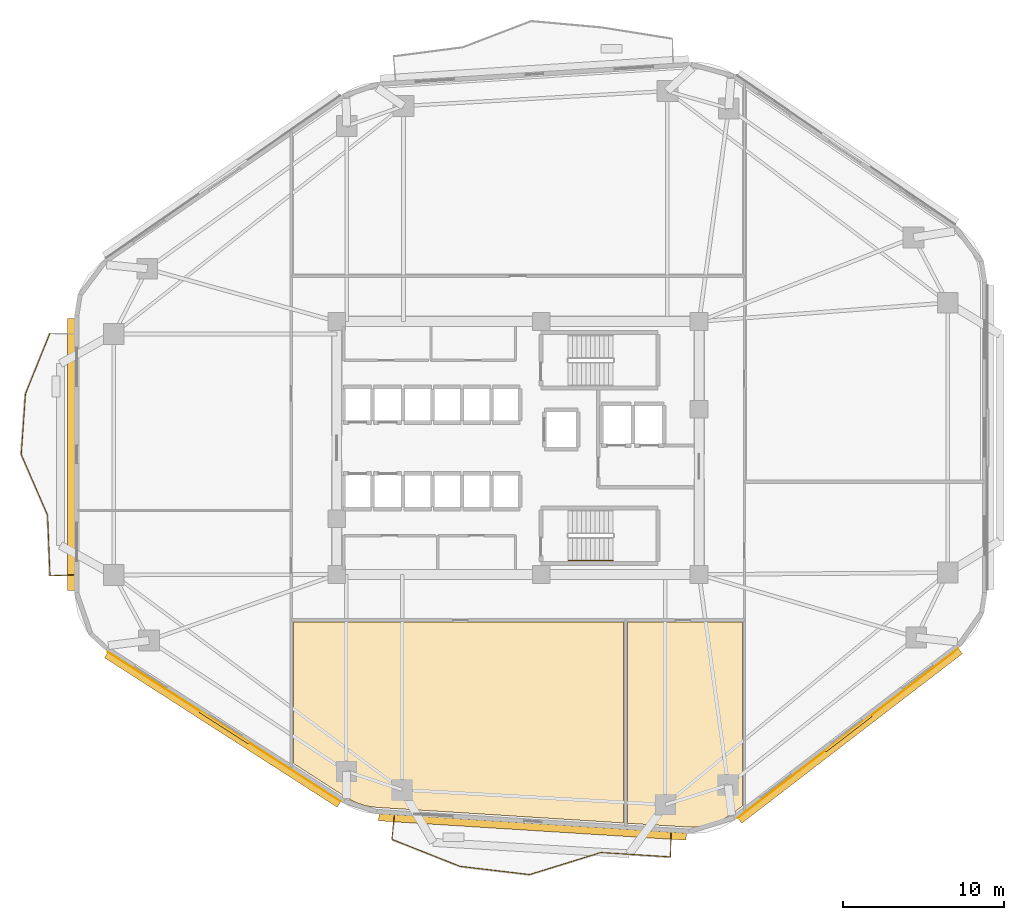
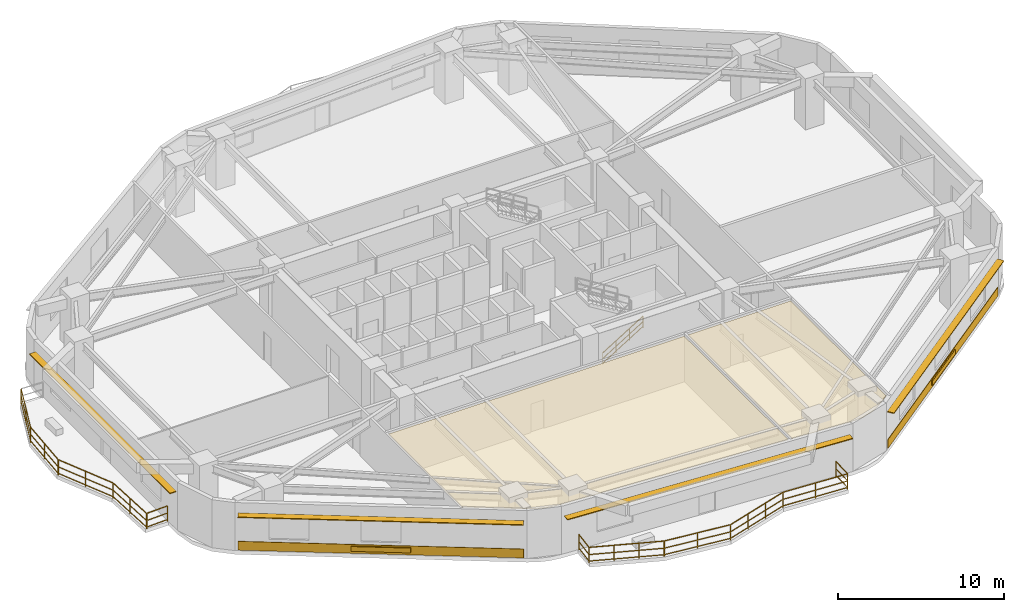
# One storey, part 7 of 9: 12 railings, 6 shading devices, 4 coverings.
"""IFC4 building model written with IfcOpenShell, lengths in metres."""

from ifc_helpers import new_model, si_unit, direction, frame, origin, origin_2d, place, context, subcontext, project, spatial, polyline, rectangle, outline, extrude, material, layer, layer_set, type_object, element, save


model = new_model("IFC4")

# Units and contexts
model_context = context("Model", 3, precision=1e-05, world=origin(), true_north=direction((0.0, 1.0)))
body_context = subcontext(model_context, "Body", "Model", "MODEL_VIEW")
ifc_project = project(units=[si_unit("LENGTHUNIT", "METRE"), si_unit("AREAUNIT", "SQUARE_METRE"), si_unit("VOLUMEUNIT", "CUBIC_METRE"), si_unit("PLANEANGLEUNIT", "RADIAN"), si_unit("MASSUNIT", "GRAM", prefix="KILO")], contexts=[model_context])

# Site, building, storey
site_placement = place(None, origin())
site = spatial("IfcSite", under=ifc_project, at=site_placement, CompositionType="ELEMENT")
building_placement = place(site_placement, origin())
building = spatial("IfcBuilding", under=site, at=building_placement, Name="Zulverin Broadcast Headquarters", CompositionType="ELEMENT")
storey_placement = place(building_placement, frame((0.0, 0.0, 74.39990234375)))
storey = spatial("IfcBuildingStorey", under=building, at=storey_placement, Name="L18", CompositionType="ELEMENT", Elevation=74.39990234375)

# Coverings
ifc_material_1 = material(Name="Perforated pale-metal acoustic baffle ceiling", Category="aluminium")
ifc_layer_1 = layer(ifc_material_1, 0.0400390625, Name="Perforated pale-metal acoustic baffle ceiling", Category="aluminium")
ifc_layer_set_1 = layer_set([ifc_layer_1], Name="Perforated pale-metal acoustic baffle ceiling")
covering_type_1 = type_object("IfcCoveringType", Name="COV-CEIL-ACOU", PredefinedType="CEILING", material=ifc_layer_set_1)
covering_1_placement = place(storey_placement, frame((0.0, 0.0, 3.34521484375)))
element("IfcCovering", 1, at=covering_1_placement, inside=storey, type_object=covering_type_1, Name="L18 Acoustic Baffle Ceiling 02", PredefinedType="CEILING", context=body_context, shape_type="SweptSolid", body=[
    extrude(outline(polyline([(23.02001953125, 14.3798828125), (23.02001953125, 5.572021484375), (26.347900390625, 3.43603515625), (26.931884765625, 3.1279296875), (27.5439453125, 2.924072265625), (28.19189453125, 2.83203125), (43.580078125, 1.860107421875), (43.580078125, 14.3798828125), (23.02001953125, 14.3798828125)])), origin(), (0.0, 0.0, 1.0), 0.039794921875),
])
covering_2_placement = place(storey_placement, frame((0.0, 0.0, 3.34521484375)))
element("IfcCovering", 2, at=covering_2_placement, inside=storey, type_object=covering_type_1, Name="L18 Acoustic Baffle Ceiling 03", PredefinedType="CEILING", context=body_context, shape_type="SweptSolid", body=[
    extrude(outline(polyline([(43.820068359375, 14.3798828125), (43.820068359375, 1.843994140625), (47.69189453125, 1.60009765625), (48.6240234375, 1.652099609375), (49.488037109375, 1.919921875), (50.2880859375, 2.39208984375), (50.97998046875, 2.924072265625), (50.97998046875, 14.3798828125), (43.820068359375, 14.3798828125)])), origin(), (0.0, 0.0, 1.0), 0.039794921875),
])
ifc_material_2 = material(Name="Brushed pale-aluminium rainscreen cladding", Category="aluminium")
ifc_layer_2 = layer(ifc_material_2, 0.0400390625, Name="Brushed pale-aluminium rainscreen cladding", Category="aluminium")
ifc_layer_set_2 = layer_set([ifc_layer_2], Name="Brushed pale-aluminium rainscreen cladding")
covering_type_2 = type_object("IfcCoveringType", Name="COV-CLAD-PALE", PredefinedType="CLADDING", material=ifc_layer_set_2)
covering_3_placement = place(storey_placement, frame((57.542724609375, 7.448974609375, 0.05517578125), z_axis=(0.0, 0.0, 1.0), x_axis=(0.792933468586, 0.609308226102, 0.0)))
element("IfcCovering", 3, at=covering_3_placement, inside=storey, type_object=covering_type_2, Name="L18 Brushed Pale-Aluminium Spandrel Cladding 2", PredefinedType="CLADDING", context=body_context, shape_type="SweptSolid", body=[
    extrude(rectangle(XDim=17.312744140625, YDim=0.0400390625, at=origin_2d()), origin(), (0.0, 0.0, 1.0), 0.64990234375),
])
covering_4_placement = place(storey_placement, frame((18.732666015625, 7.84130859375, 0.05517578125), z_axis=(0.0, 0.0, 1.0), x_axis=(0.841296678234, -0.540573676007, 0.0)))
element("IfcCovering", 4, at=covering_4_placement, inside=storey, type_object=covering_type_2, Name="L18 Brushed Pale-Aluminium Spandrel Cladding 8", PredefinedType="CLADDING", context=body_context, shape_type="SweptSolid", body=[
    extrude(rectangle(XDim=17.2119140625, YDim=0.0400390625, at=origin_2d()), origin(), (0.0, 0.0, 1.0), 0.64990234375),
])

# Railings
ifc_material_3 = material(Name="Brushed stainless steel & laminated glass balustrade", Category="steel")
railing_type_1 = type_object("IfcRailingType", Name="RL-GUARD-1150", PredefinedType="GUARDRAIL", material=ifc_material_3)
railing_1_placement = place(storey_placement, frame((7.87451171875, 32.33056640625, 0.0)))
element("IfcRailing", 5, at=railing_1_placement, inside=storey, type_object=railing_type_1, Name="L18 Vertical-Forest Balcony Guardrail BAL_W Segment 02", PredefinedType="GUARDRAIL", context=body_context, shape_type="SweptSolid", body=[
    extrude(rectangle(XDim=0.048095703125, YDim=0.048095703125, at=origin_2d()), frame((0.0, 0.0, 1.1259765625), z_axis=(-0.374564917793, -0.927200691522, 0.0), x_axis=(0.927200691522, -0.374564917793, 0.0)), (0.0, 0.0, 1.0), 4.041748046875),
    extrude(rectangle(XDim=0.0419921875, YDim=0.0419921875, at=origin_2d()), frame((0.0, 0.0, 0.597900390625), z_axis=(-0.374564917793, -0.927200691522, 0.0), x_axis=(0.927200691522, -0.374564917793, 0.0)), (0.0, 0.0, 1.0), 4.041748046875),
    extrude(rectangle(XDim=0.0419921875, YDim=0.0419921875, at=origin_2d()), frame((0.0, 0.0, 0.1201171875), z_axis=(-0.374564917793, -0.927200691522, 0.0), x_axis=(0.927200691522, -0.374564917793, 0.0)), (0.0, 0.0, 1.0), 4.041748046875),
    extrude(rectangle(XDim=0.0419921875, YDim=0.0419921875, at=origin_2d()), origin(), (0.0, 0.0, 1.0), 1.101806640625),
    extrude(rectangle(XDim=0.0419921875, YDim=0.0419921875, at=origin_2d()), frame((-0.7568359375, -1.873779296875, 0.0)), (0.0, 0.0, 1.0), 1.101806640625),
    extrude(rectangle(XDim=0.0419921875, YDim=0.0419921875, at=origin_2d()), frame((-1.513916015625, -3.74755859375, 0.0)), (0.0, 0.0, 1.0), 1.101806640625),
])
railing_2_placement = place(storey_placement, frame((6.35400390625, 28.55419921875, 0.0)))
element("IfcRailing", 6, at=railing_2_placement, inside=storey, type_object=railing_type_1, Name="L18 Vertical-Forest Balcony Guardrail BAL_W Segment 03", PredefinedType="GUARDRAIL", context=body_context, shape_type="SweptSolid", body=[
    extrude(rectangle(XDim=0.048095703125, YDim=0.048095703125, at=origin_2d()), frame((0.0, 0.0, 1.1259765625), z_axis=(-0.069453778502, -0.997585170625, 0.0), x_axis=(0.997585170625, -0.069453778502, 0.0)), (0.0, 0.0, 1.0), 3.754150390625),
    extrude(rectangle(XDim=0.0419921875, YDim=0.0419921875, at=origin_2d()), frame((0.0, 0.0, 0.597900390625), z_axis=(-0.069453778502, -0.997585170625, 0.0), x_axis=(0.997585170625, -0.069453778502, 0.0)), (0.0, 0.0, 1.0), 3.754150390625),
    extrude(rectangle(XDim=0.0419921875, YDim=0.0419921875, at=origin_2d()), frame((0.0, 0.0, 0.1201171875), z_axis=(-0.069453778502, -0.997585170625, 0.0), x_axis=(0.997585170625, -0.069453778502, 0.0)), (0.0, 0.0, 1.0), 3.754150390625),
    extrude(rectangle(XDim=0.0419921875, YDim=0.0419921875, at=origin_2d()), origin(), (0.0, 0.0, 1.0), 1.101806640625),
    extrude(rectangle(XDim=0.0419921875, YDim=0.0419921875, at=origin_2d()), frame((-0.13037109375, -1.87255859375, 0.0)), (0.0, 0.0, 1.0), 1.101806640625),
    extrude(rectangle(XDim=0.0419921875, YDim=0.0419921875, at=origin_2d()), frame((-0.2607421875, -3.7451171875, 0.0)), (0.0, 0.0, 1.0), 1.101806640625),
])
railing_3_placement = place(storey_placement, frame((6.098388671875, 24.7802734375, 0.0)))
element("IfcRailing", 7, at=railing_3_placement, inside=storey, type_object=railing_type_1, Name="L18 Vertical-Forest Balcony Guardrail BAL_W Segment 04", PredefinedType="GUARDRAIL", context=body_context, shape_type="SweptSolid", body=[
    extrude(rectangle(XDim=0.048095703125, YDim=0.048095703125, at=origin_2d()), frame((0.0, 0.0, 1.1259765625), z_axis=(0.398177563781, -0.917308360205, 0.0), x_axis=(0.917308360205, 0.398177563781, 0.0)), (0.0, 0.0, 1.0), 4.08544921875),
    extrude(rectangle(XDim=0.0419921875, YDim=0.0419921875, at=origin_2d()), frame((0.0, 0.0, 0.597900390625), z_axis=(0.398177563781, -0.917308360205, 0.0), x_axis=(0.917308360205, 0.398177563781, 0.0)), (0.0, 0.0, 1.0), 4.08544921875),
    extrude(rectangle(XDim=0.0419921875, YDim=0.0419921875, at=origin_2d()), frame((0.0, 0.0, 0.1201171875), z_axis=(0.398177563781, -0.917308360205, 0.0), x_axis=(0.917308360205, 0.398177563781, 0.0)), (0.0, 0.0, 1.0), 4.08544921875),
    extrude(rectangle(XDim=0.0419921875, YDim=0.0419921875, at=origin_2d()), origin(), (0.0, 0.0, 1.0), 1.101806640625),
    extrude(rectangle(XDim=0.0419921875, YDim=0.0419921875, at=origin_2d()), frame((0.8134765625, -1.873779296875, 0.0)), (0.0, 0.0, 1.0), 1.101806640625),
    extrude(rectangle(XDim=0.0419921875, YDim=0.0419921875, at=origin_2d()), frame((1.626708984375, -3.74755859375, 0.0)), (0.0, 0.0, 1.0), 1.101806640625),
])
railing_4_placement = place(storey_placement, frame((7.731689453125, 21.00390625, 0.0)))
element("IfcRailing", 8, at=railing_4_placement, inside=storey, type_object=railing_type_1, Name="L18 Vertical-Forest Balcony Guardrail BAL_W Segment 05", PredefinedType="GUARDRAIL", context=body_context, shape_type="SweptSolid", body=[
    extrude(rectangle(XDim=0.048095703125, YDim=0.048095703125, at=origin_2d()), frame((0.0, 0.0, 1.1259765625), z_axis=(0.039406171793, -0.999223275162, 0.0), x_axis=(0.999223275162, 0.039406171793, 0.0)), (0.0, 0.0, 1.0), 3.748291015625),
    extrude(rectangle(XDim=0.0419921875, YDim=0.0419921875, at=origin_2d()), frame((0.0, 0.0, 0.597900390625), z_axis=(0.039406171793, -0.999223275162, 0.0), x_axis=(0.999223275162, 0.039406171793, 0.0)), (0.0, 0.0, 1.0), 3.748291015625),
    extrude(rectangle(XDim=0.0419921875, YDim=0.0419921875, at=origin_2d()), frame((0.0, 0.0, 0.1201171875), z_axis=(0.039406171793, -0.999223275162, 0.0), x_axis=(0.999223275162, 0.039406171793, 0.0)), (0.0, 0.0, 1.0), 3.748291015625),
    extrude(rectangle(XDim=0.0419921875, YDim=0.0419921875, at=origin_2d()), origin(), (0.0, 0.0, 1.0), 1.101806640625),
    extrude(rectangle(XDim=0.0419921875, YDim=0.0419921875, at=origin_2d()), frame((0.07373046875, -1.87255859375, 0.0)), (0.0, 0.0, 1.0), 1.101806640625),
    extrude(rectangle(XDim=0.0419921875, YDim=0.0419921875, at=origin_2d()), frame((0.147705078125, -3.745361328125, 0.0)), (0.0, 0.0, 1.0), 1.101806640625),
])
railing_5_placement = place(storey_placement, frame((7.89501953125, 17.244140625, 0.0)))
element("IfcRailing", 9, at=railing_5_placement, inside=storey, type_object=railing_type_1, Name="L18 Vertical-Forest Balcony Guardrail BAL_W Segment 06", PredefinedType="GUARDRAIL", context=body_context, shape_type="SweptSolid", body=[
    extrude(rectangle(XDim=0.048095703125, YDim=0.048095703125, at=origin_2d()), frame((0.0, 0.0, 1.1259765625), z_axis=(0.999174410196, 0.040626321628, 0.0), x_axis=(-0.040626321628, 0.999174410196, 0.0)), (0.0, 0.0, 1.0), 1.46630859375),
    extrude(rectangle(XDim=0.0419921875, YDim=0.0419921875, at=origin_2d()), frame((0.0, 0.0, 0.597900390625), z_axis=(0.999174410196, 0.040626321628, 0.0), x_axis=(-0.040626321628, 0.999174410196, 0.0)), (0.0, 0.0, 1.0), 1.46630859375),
    extrude(rectangle(XDim=0.0419921875, YDim=0.0419921875, at=origin_2d()), frame((0.0, 0.0, 0.1201171875), z_axis=(0.999174410196, 0.040626321628, 0.0), x_axis=(-0.040626321628, 0.999174410196, 0.0)), (0.0, 0.0, 1.0), 1.46630859375),
    extrude(rectangle(XDim=0.0419921875, YDim=0.0419921875, at=origin_2d()), origin(), (0.0, 0.0, 1.0), 1.101806640625),
    extrude(rectangle(XDim=0.0419921875, YDim=0.0419921875, at=origin_2d()), frame((1.465087890625, 0.0595703125, 0.0)), (0.0, 0.0, 1.0), 1.101806640625),
])
railing_6_placement = place(storey_placement, frame((29.3076171875, 2.318603515625, 0.0)))
element("IfcRailing", 10, at=railing_6_placement, inside=storey, type_object=railing_type_1, Name="L18 Vertical-Forest Balcony Guardrail BAL_S Segment 01", PredefinedType="GUARDRAIL", context=body_context, shape_type="SweptSolid", body=[
    extrude(rectangle(XDim=0.048095703125, YDim=0.048095703125, at=origin_2d()), frame((0.0, 0.0, 1.1259765625), z_axis=(-0.103228615139, -0.99465765619, 0.0), x_axis=(0.99465765619, -0.103228615139, 0.0)), (0.0, 0.0, 1.0), 1.46630859375),
    extrude(rectangle(XDim=0.0419921875, YDim=0.0419921875, at=origin_2d()), frame((0.0, 0.0, 0.597900390625), z_axis=(-0.103228615139, -0.99465765619, 0.0), x_axis=(0.99465765619, -0.103228615139, 0.0)), (0.0, 0.0, 1.0), 1.46630859375),
    extrude(rectangle(XDim=0.0419921875, YDim=0.0419921875, at=origin_2d()), frame((0.0, 0.0, 0.1201171875), z_axis=(-0.103228615139, -0.99465765619, 0.0), x_axis=(0.99465765619, -0.103228615139, 0.0)), (0.0, 0.0, 1.0), 1.46630859375),
    extrude(rectangle(XDim=0.0419921875, YDim=0.0419921875, at=origin_2d()), origin(), (0.0, 0.0, 1.0), 1.101806640625),
    extrude(rectangle(XDim=0.0419921875, YDim=0.0419921875, at=origin_2d()), frame((-0.1513671875, -1.45849609375, 0.0)), (0.0, 0.0, 1.0), 1.101806640625),
])
railing_7_placement = place(storey_placement, frame((29.16845703125, 0.839599609375, 0.0)))
element("IfcRailing", 11, at=railing_7_placement, inside=storey, type_object=railing_type_1, Name="L18 Vertical-Forest Balcony Guardrail BAL_S Segment 02", PredefinedType="GUARDRAIL", context=body_context, shape_type="SweptSolid", body=[
    extrude(rectangle(XDim=0.048095703125, YDim=0.048095703125, at=origin_2d()), frame((0.0, 0.0, 1.1259765625), z_axis=(0.929703399222, -0.368309095022, 0.0), x_axis=(0.368309095022, 0.929703399222, 0.0)), (0.0, 0.0, 1.0), 4.5380859375),
    extrude(rectangle(XDim=0.0419921875, YDim=0.0419921875, at=origin_2d()), frame((0.0, 0.0, 0.597900390625), z_axis=(0.929703399222, -0.368309095022, 0.0), x_axis=(0.368309095022, 0.929703399222, 0.0)), (0.0, 0.0, 1.0), 4.5380859375),
    extrude(rectangle(XDim=0.0419921875, YDim=0.0419921875, at=origin_2d()), frame((0.0, 0.0, 0.1201171875), z_axis=(0.929703399222, -0.368309095022, 0.0), x_axis=(0.368309095022, 0.929703399222, 0.0)), (0.0, 0.0, 1.0), 4.5380859375),
    extrude(rectangle(XDim=0.0419921875, YDim=0.0419921875, at=origin_2d()), origin(), (0.0, 0.0, 1.0), 1.101806640625),
    extrude(rectangle(XDim=0.0419921875, YDim=0.0419921875, at=origin_2d()), frame((1.40625, -0.55712890625, 0.0)), (0.0, 0.0, 1.0), 1.101806640625),
    extrude(rectangle(XDim=0.0419921875, YDim=0.0419921875, at=origin_2d()), frame((2.812744140625, -1.1142578125, 0.0)), (0.0, 0.0, 1.0), 1.101806640625),
    extrude(rectangle(XDim=0.0419921875, YDim=0.0419921875, at=origin_2d()), frame((4.218994140625, -1.67138671875, 0.0)), (0.0, 0.0, 1.0), 1.101806640625),
])
railing_8_placement = place(storey_placement, frame((33.416259765625, -0.839111328125, 0.0)))
element("IfcRailing", 12, at=railing_8_placement, inside=storey, type_object=railing_type_1, Name="L18 Vertical-Forest Balcony Guardrail BAL_S Segment 03", PredefinedType="GUARDRAIL", context=body_context, shape_type="SweptSolid", body=[
    extrude(rectangle(XDim=0.048095703125, YDim=0.048095703125, at=origin_2d()), frame((0.0, 0.0, 1.1259765625), z_axis=(0.993075962684, -0.117473964519, 0.0), x_axis=(0.117473964519, 0.993075962684, 0.0)), (0.0, 0.0, 1.0), 4.32080078125),
    extrude(rectangle(XDim=0.0419921875, YDim=0.0419921875, at=origin_2d()), frame((0.0, 0.0, 0.597900390625), z_axis=(0.993075962684, -0.117473964519, 0.0), x_axis=(0.117473964519, 0.993075962684, 0.0)), (0.0, 0.0, 1.0), 4.32080078125),
    extrude(rectangle(XDim=0.0419921875, YDim=0.0419921875, at=origin_2d()), frame((0.0, 0.0, 0.1201171875), z_axis=(0.993075962684, -0.117473964519, 0.0), x_axis=(0.117473964519, 0.993075962684, 0.0)), (0.0, 0.0, 1.0), 4.32080078125),
    extrude(rectangle(XDim=0.0419921875, YDim=0.0419921875, at=origin_2d()), origin(), (0.0, 0.0, 1.0), 1.101806640625),
    extrude(rectangle(XDim=0.0419921875, YDim=0.0419921875, at=origin_2d()), frame((2.1455078125, -0.25390625, 0.0)), (0.0, 0.0, 1.0), 1.101806640625),
    extrude(rectangle(XDim=0.0419921875, YDim=0.0419921875, at=origin_2d()), frame((4.290771484375, -0.507568359375, 0.0)), (0.0, 0.0, 1.0), 1.101806640625),
])
railing_9_placement = place(storey_placement, frame((37.736328125, -1.343994140625, 0.0)))
element("IfcRailing", 13, at=railing_9_placement, inside=storey, type_object=railing_type_1, Name="L18 Vertical-Forest Balcony Guardrail BAL_S Segment 04", PredefinedType="GUARDRAIL", context=body_context, shape_type="SweptSolid", body=[
    extrude(rectangle(XDim=0.048095703125, YDim=0.048095703125, at=origin_2d()), frame((0.0, 0.0, 1.1259765625), z_axis=(0.955333175292, 0.295530919173, 0.0), x_axis=(-0.295530919173, 0.955333175292, 0.0)), (0.0, 0.0, 1.0), 4.6171875),
    extrude(rectangle(XDim=0.0419921875, YDim=0.0419921875, at=origin_2d()), frame((0.0, 0.0, 0.597900390625), z_axis=(0.955333175292, 0.295530919173, 0.0), x_axis=(-0.295530919173, 0.955333175292, 0.0)), (0.0, 0.0, 1.0), 4.6171875),
    extrude(rectangle(XDim=0.0419921875, YDim=0.0419921875, at=origin_2d()), frame((0.0, 0.0, 0.1201171875), z_axis=(0.955333175292, 0.295530919173, 0.0), x_axis=(-0.295530919173, 0.955333175292, 0.0)), (0.0, 0.0, 1.0), 4.6171875),
    extrude(rectangle(XDim=0.0419921875, YDim=0.0419921875, at=origin_2d()), origin(), (0.0, 0.0, 1.0), 1.101806640625),
    extrude(rectangle(XDim=0.0419921875, YDim=0.0419921875, at=origin_2d()), frame((1.47021484375, 0.454833984375, 0.0)), (0.0, 0.0, 1.0), 1.101806640625),
    extrude(rectangle(XDim=0.0419921875, YDim=0.0419921875, at=origin_2d()), frame((2.940673828125, 0.90966796875, 0.0)), (0.0, 0.0, 1.0), 1.101806640625),
    extrude(rectangle(XDim=0.0419921875, YDim=0.0419921875, at=origin_2d()), frame((4.410888671875, 1.364501953125, 0.0)), (0.0, 0.0, 1.0), 1.101806640625),
])
railing_10_placement = place(storey_placement, frame((42.176513671875, 0.02392578125, 0.0)))
element("IfcRailing", 14, at=railing_10_placement, inside=storey, type_object=railing_type_1, Name="L18 Vertical-Forest Balcony Guardrail BAL_S Segment 05", PredefinedType="GUARDRAIL", context=body_context, shape_type="SweptSolid", body=[
    extrude(rectangle(XDim=0.048095703125, YDim=0.048095703125, at=origin_2d()), frame((0.0, 0.0, 1.1259765625), z_axis=(0.998014521316, -0.062984245987, 0.0), x_axis=(0.062984245987, 0.998014521316, 0.0)), (0.0, 0.0, 1.0), 4.314208984375),
    extrude(rectangle(XDim=0.0419921875, YDim=0.0419921875, at=origin_2d()), frame((0.0, 0.0, 0.597900390625), z_axis=(0.998014521316, -0.062984245987, 0.0), x_axis=(0.062984245987, 0.998014521316, 0.0)), (0.0, 0.0, 1.0), 4.314208984375),
    extrude(rectangle(XDim=0.0419921875, YDim=0.0419921875, at=origin_2d()), frame((0.0, 0.0, 0.1201171875), z_axis=(0.998014521316, -0.062984245987, 0.0), x_axis=(0.062984245987, 0.998014521316, 0.0)), (0.0, 0.0, 1.0), 4.314208984375),
    extrude(rectangle(XDim=0.0419921875, YDim=0.0419921875, at=origin_2d()), origin(), (0.0, 0.0, 1.0), 1.101806640625),
    extrude(rectangle(XDim=0.0419921875, YDim=0.0419921875, at=origin_2d()), frame((2.15283203125, -0.1357421875, 0.0)), (0.0, 0.0, 1.0), 1.101806640625),
    extrude(rectangle(XDim=0.0419921875, YDim=0.0419921875, at=origin_2d()), frame((4.3056640625, -0.271728515625, 0.0)), (0.0, 0.0, 1.0), 1.101806640625),
])
railing_11_placement = place(storey_placement, frame((46.497314453125, -0.233642578125, 0.0)))
element("IfcRailing", 15, at=railing_11_placement, inside=storey, type_object=railing_type_1, Name="L18 Vertical-Forest Balcony Guardrail BAL_S Segment 06", PredefinedType="GUARDRAIL", context=body_context, shape_type="SweptSolid", body=[
    extrude(rectangle(XDim=0.048095703125, YDim=0.048095703125, at=origin_2d()), frame((0.0, 0.0, 1.1259765625), z_axis=(0.022641987457, 0.999743637341, 0.0), x_axis=(-0.999743637341, 0.022641987457, 0.0)), (0.0, 0.0, 1.0), 1.466552734375),
    extrude(rectangle(XDim=0.0419921875, YDim=0.0419921875, at=origin_2d()), frame((0.0, 0.0, 0.597900390625), z_axis=(0.022641987457, 0.999743637341, 0.0), x_axis=(-0.999743637341, 0.022641987457, 0.0)), (0.0, 0.0, 1.0), 1.466552734375),
    extrude(rectangle(XDim=0.0419921875, YDim=0.0419921875, at=origin_2d()), frame((0.0, 0.0, 0.1201171875), z_axis=(0.022641987457, 0.999743637341, 0.0), x_axis=(-0.999743637341, 0.022641987457, 0.0)), (0.0, 0.0, 1.0), 1.466552734375),
    extrude(rectangle(XDim=0.0419921875, YDim=0.0419921875, at=origin_2d()), origin(), (0.0, 0.0, 1.0), 1.101806640625),
    extrude(rectangle(XDim=0.0419921875, YDim=0.0419921875, at=origin_2d()), frame((0.033203125, 1.466064453125, 0.0)), (0.0, 0.0, 1.0), 1.101806640625),
])
ifc_material_4 = material(Name="Brushed stainless steel 48 mm handrail", Category="steel")
railing_type_2 = type_object("IfcRailingType", Name="RL-ST-HAND", PredefinedType="HANDRAIL", material=ifc_material_4)
railing_12_placement = place(storey_placement, frame((40.1298828125, 18.199951171875, 0.1728515625)))
element("IfcRailing", 16, at=railing_12_placement, inside=storey, type_object=railing_type_2, Name="L18 ST-2 stair handrail 1", PredefinedType="HANDRAIL", context=body_context, shape_type="SweptSolid", body=[
    extrude(rectangle(XDim=0.048095703125, YDim=0.048095703125, at=origin_2d()), frame((0.0, 0.0, 0.8759765625), z_axis=(0.851089632645, 0.0, 0.525020415988), x_axis=(0.0, 1.0, 0.0)), (0.0, 0.0, 1.0), 3.2900390625),
    extrude(rectangle(XDim=0.0419921875, YDim=0.0419921875, at=origin_2d()), frame((0.0, 0.0, 0.468017578125), z_axis=(0.851089632645, 0.0, 0.525020415988), x_axis=(0.0, 1.0, 0.0)), (0.0, 0.0, 1.0), 3.2900390625),
    extrude(rectangle(XDim=0.0419921875, YDim=0.0419921875, at=origin_2d()), frame((0.0, 0.0, 0.1201171875), z_axis=(0.851089632645, 0.0, 0.525020415988), x_axis=(0.0, 1.0, 0.0)), (0.0, 0.0, 1.0), 3.2900390625),
    extrude(rectangle(XDim=0.0419921875, YDim=0.0419921875, at=origin_2d()), origin(), (0.0, 0.0, 1.0), 0.851806640625),
    extrude(rectangle(XDim=0.0419921875, YDim=0.0419921875, at=origin_2d()), frame((0.933349609375, 0.0, 0.57568359375)), (0.0, 0.0, 1.0), 0.851806640625),
    extrude(rectangle(XDim=0.0419921875, YDim=0.0419921875, at=origin_2d()), frame((1.86669921875, 0.0, 1.151611328125)), (0.0, 0.0, 1.0), 0.851806640625),
    extrude(rectangle(XDim=0.0419921875, YDim=0.0419921875, at=origin_2d()), frame((2.800048828125, 0.0, 1.727294921875)), (0.0, 0.0, 1.0), 0.851806640625),
])

# Shading devices
ifc_material_5 = material(Name="Anodized pale-metal aluminium acoustic louvre", Category="aluminium")
shading_device_type_1 = type_object("IfcShadingDeviceType", Name="SHD-LOUVRE-350", PredefinedType="USERDEFINED", material=ifc_material_5)
for number, where, z_axis, x_axis, name in (
    (17, (57.56103515625, 7.425048828125, 0.2451171875), (0.0, 0.0, 1.0), (0.792933468586, 0.609308226102, 0.0), "L18 Spandrel Intake Louvre 2"),
    (18, (18.71630859375, 7.816162109375, 0.2451171875), (0.0, 0.0, 1.0), (0.841296678234, -0.540573676007, 0.0), "L18 Spandrel Intake Louvre 8"),
):
    element("IfcShadingDevice", number, at=place(storey_placement, frame(where, z_axis=z_axis, x_axis=x_axis)), inside=storey, type_object=shading_device_type_1, Name=name, ObjectType="LOUVRE", PredefinedType="USERDEFINED", context=body_context, shape_type="SweptSolid", body=[
        extrude(rectangle(XDim=3.60009765625, YDim=0.1201171875, at=origin_2d()), origin(), (0.0, 0.0, 1.0), 0.35009765625),
    ])
ifc_material_6 = material(Name="Anodized pale-metal aluminium sunshade", Category="aluminium")
ifc_layer_3 = layer(ifc_material_6, 0.06005859375, Name="Anodized pale-metal aluminium sunshade", Category="aluminium")
ifc_layer_set_3 = layer_set([ifc_layer_3], Name="Anodized pale-metal aluminium sunshade")
shading_device_type_2 = type_object("IfcShadingDeviceType", Name="SS-01_PALE_METAL_ALUMINIUM_SUNSHADE", PredefinedType="USERDEFINED", material=ifc_layer_set_3)
shading_device_1_placement = place(storey_placement, frame((37.908935546875, 1.61572265625, 2.7099609375), z_axis=(0.0, 0.0, 1.0), x_axis=(0.998017182581, -0.062942062821, 0.0)))
element("IfcShadingDevice", 19, at=shading_device_1_placement, inside=storey, type_object=shading_device_type_2, Name="L18 Horizontal Pale-Metal Sunshade Band 1", ObjectType="SUNSHADE", PredefinedType="USERDEFINED", context=body_context, shape_type="SweptSolid", body=[
    extrude(rectangle(XDim=19.177001953125, YDim=0.449951171875, at=origin_2d()), origin(), (0.0, 0.0, 1.0), 0.06005859375),
])
shading_device_2_placement = place(storey_placement, frame((57.658447265625, 7.29833984375, 2.7099609375), z_axis=(0.0, 0.0, 1.0), x_axis=(0.792933468586, 0.609308226102, 0.0)))
element("IfcShadingDevice", 20, at=shading_device_2_placement, inside=storey, type_object=shading_device_type_2, Name="L18 Horizontal Pale-Metal Sunshade Band 2", ObjectType="SUNSHADE", PredefinedType="USERDEFINED", context=body_context, shape_type="SweptSolid", body=[
    extrude(rectangle(XDim=17.312744140625, YDim=0.449951171875, at=origin_2d()), origin(), (0.0, 0.0, 1.0), 0.06005859375),
])
shading_device_3_placement = place(storey_placement, frame((9.199951171875, 24.7939453125, 2.7099609375), z_axis=(0.0, 0.0, 1.0), x_axis=(0.0, -1.0, 0.0)))
element("IfcShadingDevice", 21, at=shading_device_3_placement, inside=storey, type_object=shading_device_type_2, Name="L18 Horizontal Pale-Metal Sunshade Band 7", ObjectType="SUNSHADE", PredefinedType="USERDEFINED", context=body_context, shape_type="SweptSolid", body=[
    extrude(rectangle(XDim=16.90087890625, YDim=0.449951171875, at=origin_2d()), origin(), (0.0, 0.0, 1.0), 0.06005859375),
])
shading_device_4_placement = place(storey_placement, frame((18.6298828125, 7.681640625, 2.7099609375), z_axis=(0.0, 0.0, 1.0), x_axis=(0.841296678234, -0.540573676007, 0.0)))
element("IfcShadingDevice", 22, at=shading_device_4_placement, inside=storey, type_object=shading_device_type_2, Name="L18 Horizontal Pale-Metal Sunshade Band 8", ObjectType="SUNSHADE", PredefinedType="USERDEFINED", context=body_context, shape_type="SweptSolid", body=[
    extrude(rectangle(XDim=17.2119140625, YDim=0.449951171875, at=origin_2d()), origin(), (0.0, 0.0, 1.0), 0.06005859375),
])

save(model, "model.ifc")
